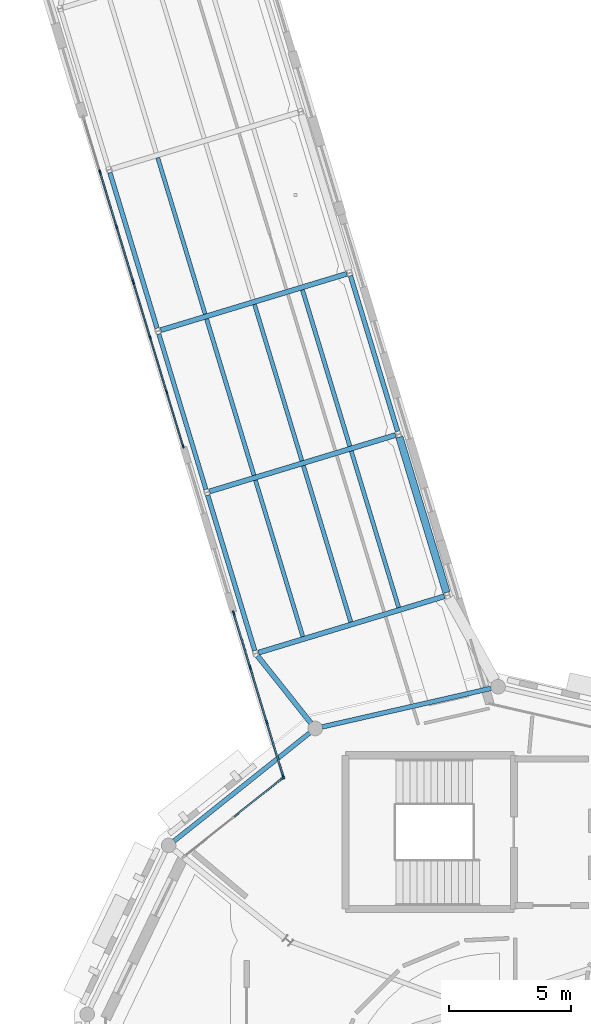
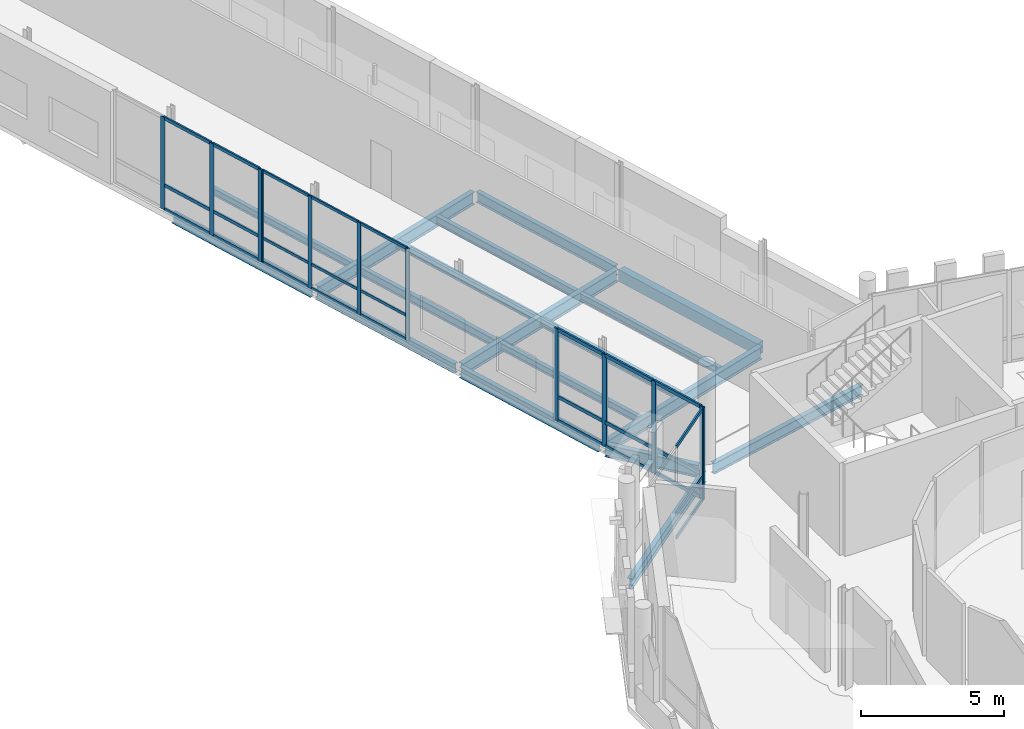
# One storey, part 30 of 125: 39 members, 18 beams, 4 elements without a shape of their own.
"""IFC4 building model written with IfcOpenShell, lengths in metres."""

from ifc_helpers import new_model, si_unit, direction, frame, origin, origin_2d, place, context, subcontext, project, spatial, rectangle, i_section, extrude, material, material_profile, profile_set, type_object, element, aggregate, save


model = new_model("IFC4")

# Units and contexts
model_context = context("Model", 3, precision=1e-05, world=origin(), true_north=direction((0.0, 1.0)))
body_context = subcontext(model_context, "Body", "Model", "MODEL_VIEW")
ifc_project = project(units=[si_unit("LENGTHUNIT", "METRE"), si_unit("AREAUNIT", "SQUARE_METRE"), si_unit("VOLUMEUNIT", "CUBIC_METRE"), si_unit("PLANEANGLEUNIT", "RADIAN"), si_unit("MASSUNIT", "GRAM", prefix="KILO")], contexts=[model_context])

# Site, building, storey
site_placement = place(None, origin())
site = spatial("IfcSite", under=ifc_project, at=site_placement, CompositionType="ELEMENT")
building_placement = place(site_placement, origin())
building = spatial("IfcBuilding", under=site, at=building_placement, Name="Wrenclough Park School", CompositionType="ELEMENT")
storey_placement = place(building_placement, frame((0.0, 0.0, 4.199951171875)))
storey = spatial("IfcBuildingStorey", under=building, at=storey_placement, Name="L01", CompositionType="ELEMENT", Elevation=4.199951171875)

# Curtain wall, members
ifc_material_1 = material(Name="Thermally broken aluminium and low-e glass curtain wall", Category="aluminium")
curtain_wall_type_1 = type_object("IfcCurtainWallType", Name="ENV-CW-11", PredefinedType="USERDEFINED", material=ifc_material_1)
curtain_wall_1_placement = place(storey_placement, origin())
curtain_wall_1 = element("IfcCurtainWall", 1, at=curtain_wall_1_placement, inside=storey, type_object=curtain_wall_type_1, Name="L01 recessed curtain wall assembly 090", ObjectType="CURTAIN WALL", PredefinedType="USERDEFINED")
ifc_material_2 = material(Name="Thermally broken anodised aluminium", Category="aluminium")
ifc_material_profile_1 = material_profile(ifc_material_2, rectangle(XDim=0.06005859375, YDim=0.159912109375, at=origin_2d()), Name="AL MULLION 60x160")
ifc_profile_set_1 = profile_set([ifc_material_profile_1], Name="Thermally broken anodised aluminium")
member_type_1 = type_object("IfcMemberType", Name="ENV-CWM-1", PredefinedType="MULLION", material=ifc_profile_set_1)
member_1_placement = place(storey_placement, frame((23.609375, 50.59130859375, 0.0), z_axis=(0.0, 0.0, 1.0), x_axis=(-0.957029054032, -0.289992051165, 0.0)))
member_1 = element("IfcMember", 2, at=member_1_placement, type_object=member_type_1, Name="CW-11 mullion 1", PredefinedType="MULLION", context=body_context, shape_type="SweptSolid", body=[
    extrude(rectangle(XDim=0.06005859375, YDim=0.159912109375, at=origin_2d()), origin(), (0.0, 0.0, 1.0), 3.93994140625),
])
member_2_placement = place(storey_placement, frame((22.93603515625, 52.81298828125, 0.0), z_axis=(0.0, 0.0, 1.0), x_axis=(-0.957029054032, -0.289992051165, 0.0)))
member_2 = element("IfcMember", 3, at=member_2_placement, type_object=member_type_1, Name="CW-11 mullion 2", PredefinedType="MULLION", context=body_context, shape_type="SweptSolid", body=[
    extrude(rectangle(XDim=0.06005859375, YDim=0.159912109375, at=origin_2d()), origin(), (0.0, 0.0, 1.0), 3.93994140625),
])
member_3_placement = place(storey_placement, frame((22.254150390625, 55.063232421875, 0.0), z_axis=(0.0, 0.0, 1.0), x_axis=(-0.957029054032, -0.289992051165, 0.0)))
member_3 = element("IfcMember", 4, at=member_3_placement, type_object=member_type_1, Name="CW-11 mullion 3", PredefinedType="MULLION", context=body_context, shape_type="SweptSolid", body=[
    extrude(rectangle(XDim=0.06005859375, YDim=0.159912109375, at=origin_2d()), origin(), (0.0, 0.0, 1.0), 3.93994140625),
])
member_4_placement = place(storey_placement, frame((21.5810546875, 57.284912109375, 0.0), z_axis=(0.0, 0.0, 1.0), x_axis=(-0.957029054032, -0.289992051165, 0.0)))
member_4 = element("IfcMember", 5, at=member_4_placement, type_object=member_type_1, Name="CW-11 mullion 4", PredefinedType="MULLION", context=body_context, shape_type="SweptSolid", body=[
    extrude(rectangle(XDim=0.06005859375, YDim=0.159912109375, at=origin_2d()), origin(), (0.0, 0.0, 1.0), 3.93994140625),
])

# Curtain wall, member
curtain_wall_type_2 = type_object("IfcCurtainWallType", Name="ENV-CW-09", PredefinedType="USERDEFINED", material=ifc_material_1)
curtain_wall_2_placement = place(storey_placement, origin())
curtain_wall_2 = element("IfcCurtainWall", 6, at=curtain_wall_2_placement, inside=storey, type_object=curtain_wall_type_2, Name="L01 recessed curtain wall assembly 088", ObjectType="CURTAIN WALL", PredefinedType="USERDEFINED")
ifc_material_profile_2 = material_profile(ifc_material_2, rectangle(XDim=0.06494140625, YDim=0.179931640625, at=origin_2d()), Name="AL MULLION 65x180")
ifc_profile_set_2 = profile_set([ifc_material_profile_2], Name="Thermally broken anodised aluminium")
member_type_2 = type_object("IfcMemberType", Name="ENV-CWM-2", PredefinedType="MULLION", material=ifc_profile_set_2)
member_5_placement = place(storey_placement, frame((27.68701171875, 37.01806640625, 0.0), z_axis=(0.0, 0.0, 1.0), x_axis=(-0.623468469558, 0.781848493934, 0.0)))
member_5 = element("IfcMember", 7, at=member_5_placement, type_object=member_type_2, Name="CW-09 mullion 3", PredefinedType="MULLION", context=body_context, shape_type="SweptSolid", body=[
    extrude(rectangle(XDim=0.06494140625, YDim=0.179931640625, at=origin_2d()), origin(), (0.0, 0.0, 1.0), 3.93994140625),
])

# Curtain wall, members
curtain_wall_type_3 = type_object("IfcCurtainWallType", Name="ENV-CW-12", PredefinedType="USERDEFINED", material=ifc_material_1)
curtain_wall_3_placement = place(storey_placement, origin())
curtain_wall_3 = element("IfcCurtainWall", 8, at=curtain_wall_3_placement, inside=storey, type_object=curtain_wall_type_3, Name="L01 recessed curtain wall assembly 091", ObjectType="CURTAIN WALL", PredefinedType="USERDEFINED")
member_6_placement = place(storey_placement, frame((21.560546875, 57.352294921875, 0.0), z_axis=(0.0, 0.0, 1.0), x_axis=(-0.957030246116, -0.289988117032, 0.0)))
member_6 = element("IfcMember", 9, at=member_6_placement, type_object=member_type_2, Name="CW-12 mullion 1", PredefinedType="MULLION", context=body_context, shape_type="SweptSolid", body=[
    extrude(rectangle(XDim=0.06494140625, YDim=0.179931640625, at=origin_2d()), origin(), (0.0, 0.0, 1.0), 3.93994140625),
])
member_7_placement = place(storey_placement, frame((20.887939453125, 59.57177734375, 0.0), z_axis=(0.0, 0.0, 1.0), x_axis=(-0.957030246116, -0.289988117032, 0.0)))
member_7 = element("IfcMember", 10, at=member_7_placement, type_object=member_type_2, Name="CW-12 mullion 2", PredefinedType="MULLION", context=body_context, shape_type="SweptSolid", body=[
    extrude(rectangle(XDim=0.06494140625, YDim=0.179931640625, at=origin_2d()), origin(), (0.0, 0.0, 1.0), 3.93994140625),
])
member_8_placement = place(storey_placement, frame((20.2060546875, 61.822265625, 0.0), z_axis=(0.0, 0.0, 1.0), x_axis=(-0.957030246116, -0.289988117032, 0.0)))
member_8 = element("IfcMember", 11, at=member_8_placement, type_object=member_type_2, Name="CW-12 mullion 3", PredefinedType="MULLION", context=body_context, shape_type="SweptSolid", body=[
    extrude(rectangle(XDim=0.06494140625, YDim=0.179931640625, at=origin_2d()), origin(), (0.0, 0.0, 1.0), 3.93994140625),
])

curtain_wall_type_4 = type_object("IfcCurtainWallType", Name="ENV-CW-10", PredefinedType="USERDEFINED", material=ifc_material_1)
curtain_wall_4_placement = place(storey_placement, origin())
curtain_wall_4 = element("IfcCurtainWall", 12, at=curtain_wall_4_placement, inside=storey, type_object=curtain_wall_type_4, Name="L01 recessed curtain wall assembly 089", ObjectType="CURTAIN WALL", PredefinedType="USERDEFINED")
ifc_material_profile_3 = material_profile(ifc_material_2, rectangle(XDim=0.070068359375, YDim=0.199951171875, at=origin_2d()), Name="AL MULLION 70x200")
ifc_profile_set_3 = profile_set([ifc_material_profile_3], Name="Thermally broken anodised aluminium")
member_type_3 = type_object("IfcMemberType", Name="ENV-CWM-3", PredefinedType="MULLION", material=ifc_profile_set_3)
member_9_placement = place(storey_placement, frame((27.7041015625, 37.078125, 0.0), z_axis=(0.0, 0.0, 1.0), x_axis=(-0.957030246116, -0.289988117032, 0.0)))
member_9 = element("IfcMember", 13, at=member_9_placement, type_object=member_type_3, Name="CW-10 mullion 1", PredefinedType="MULLION", context=body_context, shape_type="SweptSolid", body=[
    extrude(rectangle(XDim=0.070068359375, YDim=0.199951171875, at=origin_2d()), origin(), (0.0, 0.0, 1.0), 3.93994140625),
])
member_10_placement = place(storey_placement, frame((27.032470703125, 39.295166015625, 0.0), z_axis=(0.0, 0.0, 1.0), x_axis=(-0.957030246116, -0.289988117032, 0.0)))
member_10 = element("IfcMember", 14, at=member_10_placement, type_object=member_type_3, Name="CW-10 mullion 2", PredefinedType="MULLION", context=body_context, shape_type="SweptSolid", body=[
    extrude(rectangle(XDim=0.070068359375, YDim=0.199951171875, at=origin_2d()), origin(), (0.0, 0.0, 1.0), 3.93994140625),
])
member_11_placement = place(storey_placement, frame((26.3505859375, 41.545654296875, 0.0), z_axis=(0.0, 0.0, 1.0), x_axis=(-0.957030246116, -0.289988117032, 0.0)))
member_11 = element("IfcMember", 15, at=member_11_placement, type_object=member_type_3, Name="CW-10 mullion 3", PredefinedType="MULLION", context=body_context, shape_type="SweptSolid", body=[
    extrude(rectangle(XDim=0.070068359375, YDim=0.199951171875, at=origin_2d()), origin(), (0.0, 0.0, 1.0), 3.93994140625),
])
member_12_placement = place(storey_placement, frame((25.6787109375, 43.762451171875, 0.0), z_axis=(0.0, 0.0, 1.0), x_axis=(-0.957030246116, -0.289988117032, 0.0)))
member_12 = element("IfcMember", 16, at=member_12_placement, type_object=member_type_3, Name="CW-10 mullion 4", PredefinedType="MULLION", context=body_context, shape_type="SweptSolid", body=[
    extrude(rectangle(XDim=0.070068359375, YDim=0.199951171875, at=origin_2d()), origin(), (0.0, 0.0, 1.0), 3.93994140625),
])

# Member
ifc_material_profile_4 = material_profile(ifc_material_2, rectangle(XDim=0.06005859375, YDim=0.1201171875, at=origin_2d()), Name="AL TRANSOM 60x120")
ifc_profile_set_4 = profile_set([ifc_material_profile_4], Name="Thermally broken anodised aluminium")
member_type_4 = type_object("IfcMemberType", Name="ENV-CWT-1", PredefinedType="USERDEFINED", material=ifc_profile_set_4)
member_13_placement = place(storey_placement, frame((23.6005859375, 50.619873046875, 0.030029296875), z_axis=(-0.289971439809, 0.957035299294, 0.0), x_axis=(-0.957035299294, -0.289971439809, 0.0)))
member_13 = element("IfcMember", 17, at=member_13_placement, type_object=member_type_4, Name="CW-11 transom 1.1", ObjectType="TRANSOM", PredefinedType="USERDEFINED", context=body_context, shape_type="SweptSolid", body=[
    extrude(rectangle(XDim=0.06005859375, YDim=0.1201171875, at=origin_2d()), origin(), (0.0, 0.0, 1.0), 2.261474609375),
])

member_14_placement = place(storey_placement, frame((23.6005859375, 50.619873046875, 1.050048828125), z_axis=(-0.289971439809, 0.957035299294, 0.0), x_axis=(-0.957035299294, -0.289971439809, 0.0)))
member_14 = element("IfcMember", 18, at=member_14_placement, type_object=member_type_4, Name="CW-11 transom 1.2", ObjectType="TRANSOM", PredefinedType="USERDEFINED", context=body_context, shape_type="SweptSolid", body=[
    extrude(rectangle(XDim=0.06005859375, YDim=0.1201171875, at=origin_2d()), origin(), (0.0, 0.0, 1.0), 2.261474609375),
])

member_15_placement = place(storey_placement, frame((23.6005859375, 50.619873046875, 3.91015625), z_axis=(-0.289971439809, 0.957035299294, 0.0), x_axis=(-0.957035299294, -0.289971439809, 0.0)))
member_15 = element("IfcMember", 19, at=member_15_placement, type_object=member_type_4, Name="CW-11 transom 1.3", ObjectType="TRANSOM", PredefinedType="USERDEFINED", context=body_context, shape_type="SweptSolid", body=[
    extrude(rectangle(XDim=0.06005859375, YDim=0.1201171875, at=origin_2d()), origin(), (0.0, 0.0, 1.0), 2.261474609375),
])

member_16_placement = place(storey_placement, frame((22.927490234375, 52.841552734375, 0.030029296875), z_axis=(-0.289995567696, 0.957027988471, 0.0), x_axis=(-0.957027988471, -0.289995567696, 0.0)))
member_16 = element("IfcMember", 20, at=member_16_placement, type_object=member_type_4, Name="CW-11 transom 2.1", ObjectType="TRANSOM", PredefinedType="USERDEFINED", context=body_context, shape_type="SweptSolid", body=[
    extrude(rectangle(XDim=0.06005859375, YDim=0.1201171875, at=origin_2d()), origin(), (0.0, 0.0, 1.0), 2.29150390625),
])

member_17_placement = place(storey_placement, frame((22.927490234375, 52.841552734375, 1.050048828125), z_axis=(-0.289995567696, 0.957027988471, 0.0), x_axis=(-0.957027988471, -0.289995567696, 0.0)))
member_17 = element("IfcMember", 21, at=member_17_placement, type_object=member_type_4, Name="CW-11 transom 2.2", ObjectType="TRANSOM", PredefinedType="USERDEFINED", context=body_context, shape_type="SweptSolid", body=[
    extrude(rectangle(XDim=0.06005859375, YDim=0.1201171875, at=origin_2d()), origin(), (0.0, 0.0, 1.0), 2.29150390625),
])

member_18_placement = place(storey_placement, frame((22.927490234375, 52.841552734375, 3.91015625), z_axis=(-0.289995567696, 0.957027988471, 0.0), x_axis=(-0.957027988471, -0.289995567696, 0.0)))
member_18 = element("IfcMember", 22, at=member_18_placement, type_object=member_type_4, Name="CW-11 transom 2.3", ObjectType="TRANSOM", PredefinedType="USERDEFINED", context=body_context, shape_type="SweptSolid", body=[
    extrude(rectangle(XDim=0.06005859375, YDim=0.1201171875, at=origin_2d()), origin(), (0.0, 0.0, 1.0), 2.29150390625),
])

member_19_placement = place(storey_placement, frame((22.24560546875, 55.092041015625, 0.030029296875), z_axis=(-0.290070314408, 0.957005335774, 0.0), x_axis=(-0.957005335774, -0.290070314408, 0.0)))
member_19 = element("IfcMember", 23, at=member_19_placement, type_object=member_type_4, Name="CW-11 transom 3.1", ObjectType="TRANSOM", PredefinedType="USERDEFINED", context=body_context, shape_type="SweptSolid", body=[
    extrude(rectangle(XDim=0.06005859375, YDim=0.1201171875, at=origin_2d()), origin(), (0.0, 0.0, 1.0), 2.261474609375),
])

member_20_placement = place(storey_placement, frame((22.24560546875, 55.092041015625, 1.050048828125), z_axis=(-0.290070314408, 0.957005335774, 0.0), x_axis=(-0.957005335774, -0.290070314408, 0.0)))
member_20 = element("IfcMember", 24, at=member_20_placement, type_object=member_type_4, Name="CW-11 transom 3.2", ObjectType="TRANSOM", PredefinedType="USERDEFINED", context=body_context, shape_type="SweptSolid", body=[
    extrude(rectangle(XDim=0.06005859375, YDim=0.1201171875, at=origin_2d()), origin(), (0.0, 0.0, 1.0), 2.261474609375),
])

member_21_placement = place(storey_placement, frame((22.24560546875, 55.092041015625, 3.91015625), z_axis=(-0.290070314408, 0.957005335774, 0.0), x_axis=(-0.957005335774, -0.290070314408, 0.0)))
member_21 = element("IfcMember", 25, at=member_21_placement, type_object=member_type_4, Name="CW-11 transom 3.3", ObjectType="TRANSOM", PredefinedType="USERDEFINED", context=body_context, shape_type="SweptSolid", body=[
    extrude(rectangle(XDim=0.06005859375, YDim=0.1201171875, at=origin_2d()), origin(), (0.0, 0.0, 1.0), 2.261474609375),
])

aggregate(curtain_wall_1, [member_1, member_2, member_3, member_4, member_13, member_14, member_15, member_16, member_17, member_18, member_19, member_20, member_21])

ifc_material_profile_5 = material_profile(ifc_material_2, rectangle(XDim=0.06494140625, YDim=0.139892578125, at=origin_2d()), Name="AL TRANSOM 65x140")
ifc_profile_set_5 = profile_set([ifc_material_profile_5], Name="Thermally broken anodised aluminium")
member_type_5 = type_object("IfcMemberType", Name="ENV-CWT-2", PredefinedType="USERDEFINED", material=ifc_profile_set_5)
member_22_placement = place(storey_placement, frame((25.692138671875, 35.42724609375, 0.032470703125), z_axis=(0.781841773496, 0.623476897099, 0.0), x_axis=(-0.623476897099, 0.781841773496, 0.0)))
member_22 = element("IfcMember", 26, at=member_22_placement, type_object=member_type_5, Name="CW-09 transom 2.1", ObjectType="TRANSOM", PredefinedType="USERDEFINED", context=body_context, shape_type="SweptSolid", body=[
    extrude(rectangle(XDim=0.06494140625, YDim=0.139892578125, at=origin_2d()), origin(), (0.0, 0.0, 1.0), 2.51904296875),
])

member_23_placement = place(storey_placement, frame((25.692138671875, 35.42724609375, 1.050048828125), z_axis=(0.781841773496, 0.623476897099, 0.0), x_axis=(-0.623476897099, 0.781841773496, 0.0)))
member_23 = element("IfcMember", 27, at=member_23_placement, type_object=member_type_5, Name="CW-09 transom 2.2", ObjectType="TRANSOM", PredefinedType="USERDEFINED", context=body_context, shape_type="SweptSolid", body=[
    extrude(rectangle(XDim=0.06494140625, YDim=0.139892578125, at=origin_2d()), origin(), (0.0, 0.0, 1.0), 2.51904296875),
])

member_24_placement = place(storey_placement, frame((25.692138671875, 35.42724609375, 3.907470703125), z_axis=(0.781841773496, 0.623476897099, 0.0), x_axis=(-0.623476897099, 0.781841773496, 0.0)))
member_24 = element("IfcMember", 28, at=member_24_placement, type_object=member_type_5, Name="CW-09 transom 2.3", ObjectType="TRANSOM", PredefinedType="USERDEFINED", context=body_context, shape_type="SweptSolid", body=[
    extrude(rectangle(XDim=0.06494140625, YDim=0.139892578125, at=origin_2d()), origin(), (0.0, 0.0, 1.0), 2.51904296875),
])

aggregate(curtain_wall_2, [member_5, member_22, member_23, member_24])

member_25_placement = place(storey_placement, frame((21.551025390625, 57.383544921875, 0.032470703125), z_axis=(-0.289980337224, 0.957032603428, 0.0), x_axis=(-0.957032603428, -0.289980337224, 0.0)))
member_25 = element("IfcMember", 29, at=member_25_placement, type_object=member_type_5, Name="CW-12 transom 1.1", ObjectType="TRANSOM", PredefinedType="USERDEFINED", context=body_context, shape_type="SweptSolid", body=[
    extrude(rectangle(XDim=0.06494140625, YDim=0.139892578125, at=origin_2d()), origin(), (0.0, 0.0, 1.0), 2.25390625),
])

member_26_placement = place(storey_placement, frame((21.551025390625, 57.383544921875, 1.050048828125), z_axis=(-0.289980337224, 0.957032603428, 0.0), x_axis=(-0.957032603428, -0.289980337224, 0.0)))
member_26 = element("IfcMember", 30, at=member_26_placement, type_object=member_type_5, Name="CW-12 transom 1.2", ObjectType="TRANSOM", PredefinedType="USERDEFINED", context=body_context, shape_type="SweptSolid", body=[
    extrude(rectangle(XDim=0.06494140625, YDim=0.139892578125, at=origin_2d()), origin(), (0.0, 0.0, 1.0), 2.25390625),
])

member_27_placement = place(storey_placement, frame((21.551025390625, 57.383544921875, 3.907470703125), z_axis=(-0.289980337224, 0.957032603428, 0.0), x_axis=(-0.957032603428, -0.289980337224, 0.0)))
member_27 = element("IfcMember", 31, at=member_27_placement, type_object=member_type_5, Name="CW-12 transom 1.3", ObjectType="TRANSOM", PredefinedType="USERDEFINED", context=body_context, shape_type="SweptSolid", body=[
    extrude(rectangle(XDim=0.06494140625, YDim=0.139892578125, at=origin_2d()), origin(), (0.0, 0.0, 1.0), 2.25390625),
])

member_28_placement = place(storey_placement, frame((20.878662109375, 59.602783203125, 0.032470703125), z_axis=(-0.29000146831, 0.957026200466, 0.0), x_axis=(-0.957026200466, -0.29000146831, 0.0)))
member_28 = element("IfcMember", 32, at=member_28_placement, type_object=member_type_5, Name="CW-12 transom 2.1", ObjectType="TRANSOM", PredefinedType="USERDEFINED", context=body_context, shape_type="SweptSolid", body=[
    extrude(rectangle(XDim=0.06494140625, YDim=0.139892578125, at=origin_2d()), origin(), (0.0, 0.0, 1.0), 2.286376953125),
])

member_29_placement = place(storey_placement, frame((20.878662109375, 59.602783203125, 1.050048828125), z_axis=(-0.29000146831, 0.957026200466, 0.0), x_axis=(-0.957026200466, -0.29000146831, 0.0)))
member_29 = element("IfcMember", 33, at=member_29_placement, type_object=member_type_5, Name="CW-12 transom 2.2", ObjectType="TRANSOM", PredefinedType="USERDEFINED", context=body_context, shape_type="SweptSolid", body=[
    extrude(rectangle(XDim=0.06494140625, YDim=0.139892578125, at=origin_2d()), origin(), (0.0, 0.0, 1.0), 2.286376953125),
])

member_30_placement = place(storey_placement, frame((20.878662109375, 59.602783203125, 3.907470703125), z_axis=(-0.29000146831, 0.957026200466, 0.0), x_axis=(-0.957026200466, -0.29000146831, 0.0)))
member_30 = element("IfcMember", 34, at=member_30_placement, type_object=member_type_5, Name="CW-12 transom 2.3", ObjectType="TRANSOM", PredefinedType="USERDEFINED", context=body_context, shape_type="SweptSolid", body=[
    extrude(rectangle(XDim=0.06494140625, YDim=0.139892578125, at=origin_2d()), origin(), (0.0, 0.0, 1.0), 2.286376953125),
])

aggregate(curtain_wall_3, [member_6, member_7, member_8, member_25, member_26, member_27, member_28, member_29, member_30])

ifc_material_profile_6 = material_profile(ifc_material_2, rectangle(XDim=0.070068359375, YDim=0.14990234375, at=origin_2d()), Name="AL TRANSOM 70x150")
ifc_profile_set_6 = profile_set([ifc_material_profile_6], Name="Thermally broken anodised aluminium")
member_type_6 = type_object("IfcMemberType", Name="ENV-CWT-3", PredefinedType="USERDEFINED", material=ifc_profile_set_6)
member_31_placement = place(storey_placement, frame((27.694091796875, 37.111572265625, 0.03515625), z_axis=(-0.290028506865, 0.95701800673, 0.0), x_axis=(-0.95701800673, -0.290028506865, 0.0)))
member_31 = element("IfcMember", 35, at=member_31_placement, type_object=member_type_6, Name="CW-10 transom 1.1", ObjectType="TRANSOM", PredefinedType="USERDEFINED", context=body_context, shape_type="SweptSolid", body=[
    extrude(rectangle(XDim=0.070068359375, YDim=0.14990234375, at=origin_2d()), origin(), (0.0, 0.0, 1.0), 2.246826171875),
])

member_32_placement = place(storey_placement, frame((27.694091796875, 37.111572265625, 1.050048828125), z_axis=(-0.290028506865, 0.95701800673, 0.0), x_axis=(-0.95701800673, -0.290028506865, 0.0)))
member_32 = element("IfcMember", 36, at=member_32_placement, type_object=member_type_6, Name="CW-10 transom 1.2", ObjectType="TRANSOM", PredefinedType="USERDEFINED", context=body_context, shape_type="SweptSolid", body=[
    extrude(rectangle(XDim=0.070068359375, YDim=0.14990234375, at=origin_2d()), origin(), (0.0, 0.0, 1.0), 2.246826171875),
])

member_33_placement = place(storey_placement, frame((27.694091796875, 37.111572265625, 3.905029296875), z_axis=(-0.290028506865, 0.95701800673, 0.0), x_axis=(-0.95701800673, -0.290028506865, 0.0)))
member_33 = element("IfcMember", 37, at=member_33_placement, type_object=member_type_6, Name="CW-10 transom 1.3", ObjectType="TRANSOM", PredefinedType="USERDEFINED", context=body_context, shape_type="SweptSolid", body=[
    extrude(rectangle(XDim=0.070068359375, YDim=0.14990234375, at=origin_2d()), origin(), (0.0, 0.0, 1.0), 2.246826171875),
])

member_34_placement = place(storey_placement, frame((27.022216796875, 39.32861328125, 0.03515625), z_axis=(-0.290007395283, 0.957024404433, 0.0), x_axis=(-0.957024404433, -0.290007395283, 0.0)))
member_34 = element("IfcMember", 38, at=member_34_placement, type_object=member_type_6, Name="CW-10 transom 2.1", ObjectType="TRANSOM", PredefinedType="USERDEFINED", context=body_context, shape_type="SweptSolid", body=[
    extrude(rectangle(XDim=0.070068359375, YDim=0.14990234375, at=origin_2d()), origin(), (0.0, 0.0, 1.0), 2.281494140625),
])

member_35_placement = place(storey_placement, frame((27.022216796875, 39.32861328125, 1.050048828125), z_axis=(-0.290007395283, 0.957024404433, 0.0), x_axis=(-0.957024404433, -0.290007395283, 0.0)))
member_35 = element("IfcMember", 39, at=member_35_placement, type_object=member_type_6, Name="CW-10 transom 2.2", ObjectType="TRANSOM", PredefinedType="USERDEFINED", context=body_context, shape_type="SweptSolid", body=[
    extrude(rectangle(XDim=0.070068359375, YDim=0.14990234375, at=origin_2d()), origin(), (0.0, 0.0, 1.0), 2.281494140625),
])

member_36_placement = place(storey_placement, frame((27.022216796875, 39.32861328125, 3.905029296875), z_axis=(-0.290007395283, 0.957024404433, 0.0), x_axis=(-0.957024404433, -0.290007395283, 0.0)))
member_36 = element("IfcMember", 40, at=member_36_placement, type_object=member_type_6, Name="CW-10 transom 2.3", ObjectType="TRANSOM", PredefinedType="USERDEFINED", context=body_context, shape_type="SweptSolid", body=[
    extrude(rectangle(XDim=0.070068359375, YDim=0.14990234375, at=origin_2d()), origin(), (0.0, 0.0, 1.0), 2.281494140625),
])

member_37_placement = place(storey_placement, frame((26.34033203125, 41.5791015625, 0.03515625), z_axis=(-0.289959133167, 0.957039027988, 0.0), x_axis=(-0.957039027988, -0.289959133167, 0.0)))
member_37 = element("IfcMember", 41, at=member_37_placement, type_object=member_type_6, Name="CW-10 transom 3.1", ObjectType="TRANSOM", PredefinedType="USERDEFINED", context=body_context, shape_type="SweptSolid", body=[
    extrude(rectangle(XDim=0.070068359375, YDim=0.14990234375, at=origin_2d()), origin(), (0.0, 0.0, 1.0), 2.246337890625),
])

member_38_placement = place(storey_placement, frame((26.34033203125, 41.5791015625, 1.050048828125), z_axis=(-0.289959133167, 0.957039027988, 0.0), x_axis=(-0.957039027988, -0.289959133167, 0.0)))
member_38 = element("IfcMember", 42, at=member_38_placement, type_object=member_type_6, Name="CW-10 transom 3.2", ObjectType="TRANSOM", PredefinedType="USERDEFINED", context=body_context, shape_type="SweptSolid", body=[
    extrude(rectangle(XDim=0.070068359375, YDim=0.14990234375, at=origin_2d()), origin(), (0.0, 0.0, 1.0), 2.246337890625),
])

member_39_placement = place(storey_placement, frame((26.34033203125, 41.5791015625, 3.905029296875), z_axis=(-0.289959133167, 0.957039027988, 0.0), x_axis=(-0.957039027988, -0.289959133167, 0.0)))
member_39 = element("IfcMember", 43, at=member_39_placement, type_object=member_type_6, Name="CW-10 transom 3.3", ObjectType="TRANSOM", PredefinedType="USERDEFINED", context=body_context, shape_type="SweptSolid", body=[
    extrude(rectangle(XDim=0.070068359375, YDim=0.14990234375, at=origin_2d()), origin(), (0.0, 0.0, 1.0), 2.246337890625),
])

aggregate(curtain_wall_4, [member_9, member_10, member_11, member_12, member_31, member_32, member_33, member_34, member_35, member_36, member_37, member_38, member_39])

# Beams
ifc_material_3 = material(Name="Concrete C32/40", Category="concrete")
ifc_material_profile_7 = material_profile(ifc_material_3, rectangle(XDim=0.300048828125, YDim=0.5, at=origin_2d()), Name="RC BEAM 300x500")
ifc_profile_set_7 = profile_set([ifc_material_profile_7], Name="Concrete C32/40")
beam_type_1 = type_object("IfcBeamType", Name="STR-BM-RC300", PredefinedType="BEAM", material=ifc_profile_set_7)
beam_1_placement = place(storey_placement, frame((34.388427734375, 44.60595703125, -0.489990234375), z_axis=(-0.290023693774, 0.957019465345, 0.0), x_axis=(-0.957019465345, -0.290023693774, 0.0)))
element("IfcBeam", 44, at=beam_1_placement, inside=storey, type_object=beam_type_1, Name="W23 L01 longitudinal edge beam R1", PredefinedType="BEAM", context=body_context, shape_type="SweptSolid", body=[
    extrude(rectangle(XDim=0.300048828125, YDim=0.5, at=origin_2d()), origin(), (0.0, 0.0, 1.0), 6.65185546875),
])
ifc_material_4 = material(Name="Structural steel S355", Category="steel")
ifc_material_profile_8 = material_profile(ifc_material_4, i_section(OverallWidth=0.1650390625, OverallDepth=0.303466796875, WebThickness=0.006103515625, FlangeThickness=0.01025390625, FilletRadius=0.0087890625, at=origin_2d()), Name="UKB 305x165x40")
ifc_profile_set_8 = profile_set([ifc_material_profile_8], Name="Structural steel S355")
beam_type_2 = type_object("IfcBeamType", Name="STR-BM-UKB305", PredefinedType="JOIST", material=ifc_profile_set_8)
for number, where, z_axis, x_axis, name in (
    (45, (28.5078125, 42.8056640625, -0.3916015625), (-0.290029687664, 0.957017648883, 0.0), (-0.957017648883, -0.290029687664, 0.0), "W23 L01 secondary floor joist 0025"),
    (46, (32.431640625, 43.99462890625, -0.3916015625), (-0.290029687664, 0.957017648883, 0.0), (-0.957017648883, -0.290029687664, 0.0), "W23 L01 secondary floor joist 0027"),
    (47, (28.4697265625, 50.000244140625, -0.3916015625), (-0.290029687664, 0.957017648883, 0.0), (-0.957017648883, -0.290029687664, 0.0), "W23 L01 secondary floor joist 0029"),
    (48, (24.5078125, 56.005615234375, -0.3916015625), (-0.290029687664, 0.957017648883, 0.0), (-0.957017648883, -0.290029687664, 0.0), "W23 L01 secondary floor joist 0031"),
):
    element("IfcBeam", number, at=place(storey_placement, frame(where, z_axis=z_axis, x_axis=x_axis)), inside=storey, type_object=beam_type_2, Name=name, PredefinedType="JOIST", context=body_context, shape_type="SweptSolid", body=[
        extrude(i_section(OverallWidth=0.1650390625, OverallDepth=0.303466796875, WebThickness=0.006103515625, FlangeThickness=0.01025390625, FilletRadius=0.0087890625, at=origin_2d()), origin(), (0.0, 0.0, 1.0), 6.68701171875),
    ])
ifc_material_profile_9 = material_profile(ifc_material_4, i_section(OverallWidth=0.17138671875, OverallDepth=0.35498046875, WebThickness=0.00732421875, FlangeThickness=0.011474609375, FilletRadius=0.01025390625, at=origin_2d()), Name="UKB 356x171x51")
ifc_profile_set_9 = profile_set([ifc_material_profile_9], Name="Structural steel S355")
beam_type_3 = type_object("IfcBeamType", Name="STR-BM-UKB356", PredefinedType="JOIST", material=ifc_profile_set_9)
for number, where, z_axis, x_axis, name in (
    (49, (30.4697265625, 43.400146484375, -0.41748046875), (-0.290029687664, 0.957017648883, 0.0), (-0.957017648883, -0.290029687664, 0.0), "W23 L01 secondary floor joist 0026"),
    (50, (26.5078125, 49.40576171875, -0.41748046875), (-0.290029687664, 0.957017648883, 0.0), (-0.957017648883, -0.290029687664, 0.0), "W23 L01 secondary floor joist 0028"),
    (51, (30.431640625, 50.5947265625, -0.41748046875), (-0.290029687664, 0.957017648883, 0.0), (-0.957017648883, -0.290029687664, 0.0), "W23 L01 secondary floor joist 0030"),
):
    element("IfcBeam", number, at=place(storey_placement, frame(where, z_axis=z_axis, x_axis=x_axis)), inside=storey, type_object=beam_type_3, Name=name, PredefinedType="JOIST", context=body_context, shape_type="SweptSolid", body=[
        extrude(i_section(OverallWidth=0.17138671875, OverallDepth=0.35498046875, WebThickness=0.00732421875, FlangeThickness=0.011474609375, FilletRadius=0.01025390625, at=origin_2d()), origin(), (0.0, 0.0, 1.0), 6.68701171875),
    ])
ifc_material_profile_10 = material_profile(ifc_material_4, i_section(OverallWidth=0.177978515625, OverallDepth=0.406494140625, WebThickness=0.0078125, FlangeThickness=0.0126953125, FilletRadius=0.01025390625, at=origin_2d()), Name="UKB 406x178x60")
ifc_profile_set_10 = profile_set([ifc_material_profile_10], Name="Structural steel S355")
beam_type_4 = type_object("IfcBeamType", Name="STR-BM-UKB406", PredefinedType="BEAM", material=ifc_profile_set_10)
beam_2_placement = place(storey_placement, frame((24.540771484375, 48.827880859375, -0.443115234375), z_axis=(-0.290013507012, 0.957022552373, 0.0), x_axis=(-0.957022552373, -0.290013507012, 0.0)))
element("IfcBeam", 52, at=beam_2_placement, inside=storey, type_object=beam_type_4, Name="W23 L01 longitudinal edge beam L2", PredefinedType="BEAM", context=body_context, shape_type="SweptSolid", body=[
    extrude(i_section(OverallWidth=0.177978515625, OverallDepth=0.406494140625, WebThickness=0.0078125, FlangeThickness=0.0126953125, FilletRadius=0.01025390625, at=origin_2d()), origin(), (0.0, 0.0, 1.0), 6.652099609375),
])
ifc_material_profile_11 = material_profile(ifc_material_4, i_section(OverallWidth=0.18994140625, OverallDepth=0.453369140625, WebThickness=0.008544921875, FlangeThickness=0.0126953125, FilletRadius=0.01025390625, at=origin_2d()), Name="UKB 457x191x67")
ifc_profile_set_11 = profile_set([ifc_material_profile_11], Name="Structural steel S355")
beam_type_5 = type_object("IfcBeamType", Name="STR-BM-UKB457A", PredefinedType="BEAM", material=ifc_profile_set_11)
for number, where, z_axis, x_axis, name in (
    (53, (26.540771484375, 42.22802734375, -0.466552734375), (-0.290023693774, 0.957019465345, 0.0), (-0.957019465345, -0.290023693774, 0.0), "W23 L01 longitudinal edge beam L1"),
    (54, (32.388427734375, 51.2060546875, -0.466552734375), (-0.290023693774, 0.957019465345, 0.0), (-0.957019465345, -0.290023693774, 0.0), "W23 L01 longitudinal edge beam R2"),
    (55, (22.540771484375, 55.427978515625, -0.466552734375), (-0.290023693774, 0.957019465345, 0.0), (-0.957019465345, -0.290023693774, 0.0), "W23 L01 longitudinal edge beam L3"),
):
    element("IfcBeam", number, at=place(storey_placement, frame(where, z_axis=z_axis, x_axis=x_axis)), inside=storey, type_object=beam_type_5, Name=name, PredefinedType="BEAM", context=body_context, shape_type="SweptSolid", body=[
        extrude(i_section(OverallWidth=0.18994140625, OverallDepth=0.453369140625, WebThickness=0.008544921875, FlangeThickness=0.0126953125, FilletRadius=0.01025390625, at=origin_2d()), origin(), (0.0, 0.0, 1.0), 6.65185546875),
    ])
ifc_material_profile_12 = material_profile(ifc_material_4, i_section(OverallWidth=0.19140625, OverallDepth=0.4599609375, WebThickness=0.010009765625, FlangeThickness=0.01611328125, FilletRadius=0.01025390625, at=origin_2d()), Name="UKB 457x191x82")
ifc_profile_set_12 = profile_set([ifc_material_profile_12], Name="Structural steel S355")
beam_type_6 = type_object("IfcBeamType", Name="STR-BM-UKB457B", PredefinedType="SPANDREL", material=ifc_profile_set_12)
for number, where, z_axis, x_axis, name in (
    (56, (36.21923828125, 40.685791015625, -0.47998046875), (-0.974928448916, -0.222518582359, 0.0), (0.222518582359, -0.974928448916, 0.0), "D2 L01 outer ring spandrel beam 4"),
    (57, (28.790283203125, 38.862060546875, -0.47998046875), (-0.781840614213, -0.623478350841, 0.0), (0.623478350841, -0.781840614213, 0.0), "D2 L01 outer ring spandrel beam 5"),
):
    element("IfcBeam", number, at=place(storey_placement, frame(where, z_axis=z_axis, x_axis=x_axis)), inside=storey, type_object=beam_type_6, Name=name, PredefinedType="SPANDREL", context=body_context, shape_type="SweptSolid", body=[
        extrude(i_section(OverallWidth=0.19140625, OverallDepth=0.4599609375, WebThickness=0.010009765625, FlangeThickness=0.01611328125, FilletRadius=0.01025390625, at=origin_2d()), origin(), (0.0, 0.0, 1.0), 7.100830078125),
    ])
ifc_material_profile_13 = material_profile(ifc_material_4, i_section(OverallWidth=0.209228515625, OverallDepth=0.533203125, WebThickness=0.010009765625, FlangeThickness=0.015625, FilletRadius=0.0126953125, at=origin_2d()), Name="UKB 533x210x92")
ifc_profile_set_13 = profile_set([ifc_material_profile_13], Name="Structural steel S355")
beam_type_7 = type_object("IfcBeamType", Name="STR-BM-UKB533A", PredefinedType="BEAM", material=ifc_profile_set_13)
beam_3_placement = place(storey_placement, frame((26.693115234375, 42.146484375, -0.506591796875), z_axis=(0.957026985364, 0.289998878076, 0.0), x_axis=(-0.289998878076, 0.957026985364, 0.0)))
element("IfcBeam", 58, at=beam_3_placement, inside=storey, type_object=beam_type_7, Name="W23 L01 transverse floor beam 1", PredefinedType="BEAM", context=body_context, shape_type="SweptSolid", body=[
    extrude(i_section(OverallWidth=0.209228515625, OverallDepth=0.533203125, WebThickness=0.010009765625, FlangeThickness=0.015625, FilletRadius=0.0126953125, at=origin_2d()), origin(), (0.0, 0.0, 1.0), 7.95556640625),
])
beam_4_placement = place(storey_placement, frame((24.693115234375, 48.746337890625, -0.506591796875), z_axis=(0.957018468059, 0.290026984596, 0.0), x_axis=(-0.290026984596, 0.957018468059, 0.0)))
element("IfcBeam", 59, at=beam_4_placement, inside=storey, type_object=beam_type_7, Name="W23 L01 transverse floor beam 2", PredefinedType="BEAM", context=body_context, shape_type="SweptSolid", body=[
    extrude(i_section(OverallWidth=0.209228515625, OverallDepth=0.533203125, WebThickness=0.010009765625, FlangeThickness=0.015625, FilletRadius=0.0126953125, at=origin_2d()), origin(), (0.0, 0.0, 1.0), 7.955810546875),
])
beam_5_placement = place(storey_placement, frame((22.693115234375, 55.346435546875, -0.506591796875), z_axis=(0.957026985364, 0.289998878076, 0.0), x_axis=(-0.289998878076, 0.957026985364, 0.0)))
element("IfcBeam", 60, at=beam_5_placement, inside=storey, type_object=beam_type_7, Name="W23 L01 transverse floor beam 3", PredefinedType="BEAM", context=body_context, shape_type="SweptSolid", body=[
    extrude(i_section(OverallWidth=0.209228515625, OverallDepth=0.533203125, WebThickness=0.010009765625, FlangeThickness=0.015625, FilletRadius=0.0126953125, at=origin_2d()), origin(), (0.0, 0.0, 1.0), 7.95556640625),
])
beam_6_placement = place(storey_placement, frame((26.652099609375, 42.015380859375, -0.516357421875), z_axis=(0.622164348244, -0.782886660874, 0.0), x_axis=(0.782886660874, 0.622164348244, 0.0)))
element("IfcBeam", 61, at=beam_6_placement, inside=storey, type_object=beam_type_7, Name="W23 L01 drum junction tie beam 9", PredefinedType="BEAM", context=body_context, shape_type="SweptSolid", body=[
    extrude(i_section(OverallWidth=0.209228515625, OverallDepth=0.533203125, WebThickness=0.010009765625, FlangeThickness=0.015625, FilletRadius=0.0126953125, at=origin_2d()), origin(), (0.0, 0.0, 1.0), 3.510498046875),
])

save(model, "model.ifc")
